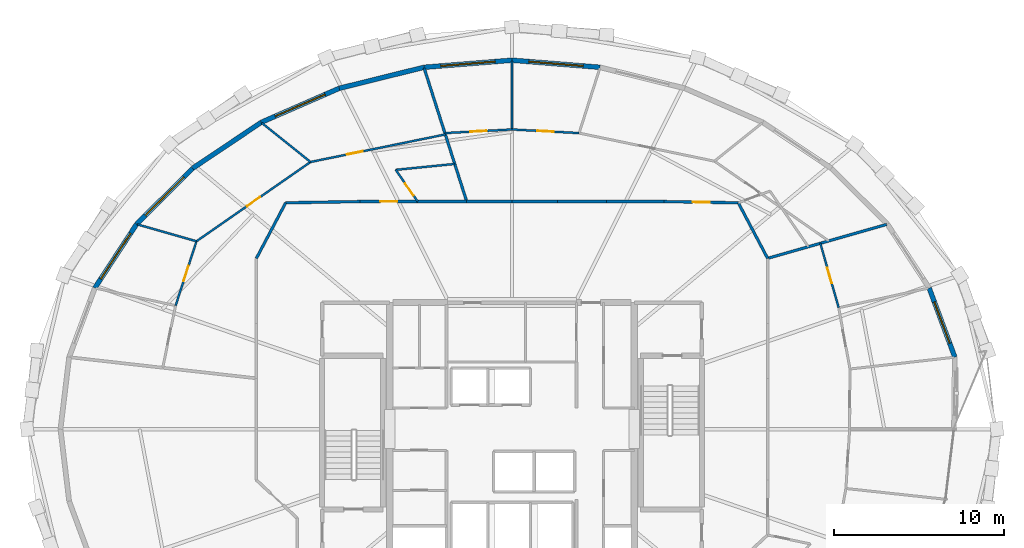
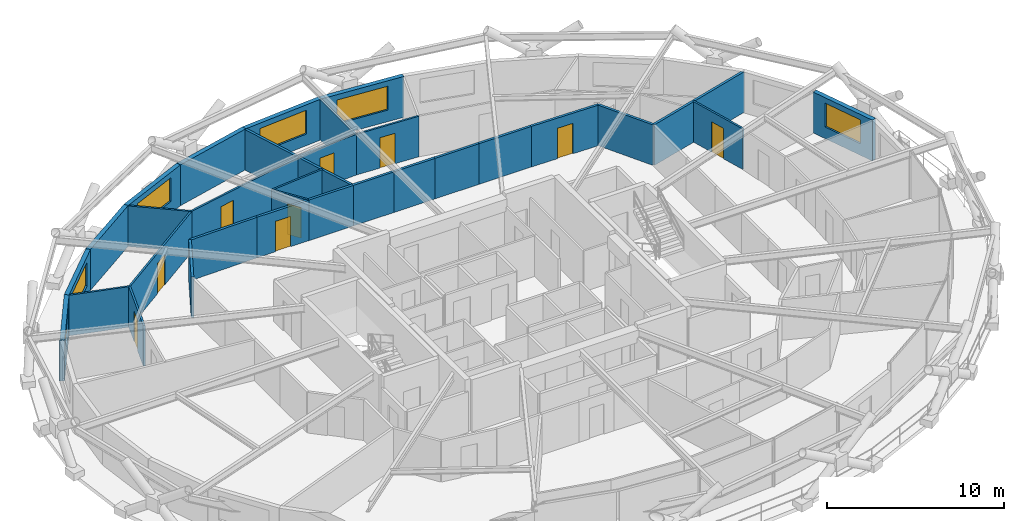
# One storey, part 16 of 20: 31 walls, 9 doors, 6 windows, 15 openings.
"""IFC4 building model written with IfcOpenShell, lengths in metres."""

from ifc_helpers import new_model, si_unit, direction, frame, frame_2d, origin, place, context, subcontext, project, spatial, rectangle, extrude, material, layer, layer_set, type_object, element, fill, save


model = new_model("IFC4")

# Units and contexts
model_context = context("Model", 3, precision=1e-05, world=origin(), true_north=direction((0.0, 1.0)))
body_context = subcontext(model_context, "Body", "Model", "MODEL_VIEW")
ifc_project = project(units=[si_unit("LENGTHUNIT", "METRE"), si_unit("AREAUNIT", "SQUARE_METRE"), si_unit("VOLUMEUNIT", "CUBIC_METRE"), si_unit("PLANEANGLEUNIT", "RADIAN"), si_unit("MASSUNIT", "GRAM", prefix="KILO")], contexts=[model_context])

# Site, building, storey
site_placement = place(None, origin())
site = spatial("IfcSite", under=ifc_project, at=site_placement, CompositionType="ELEMENT")
building_placement = place(site_placement, origin())
building = spatial("IfcBuilding", under=site, at=building_placement, Name="Veldorina Hangang Commons", CompositionType="ELEMENT")
storey_placement = place(building_placement, frame((0.0, 0.0, 131.60009765625)))
storey = spatial("IfcBuildingStorey", under=building, at=storey_placement, Name="L33", CompositionType="ELEMENT", Elevation=131.60009765625)

# Wall, opening, window
ifc_material_1 = material(Name="Stone Roman Travertine", Category="masonry")
ifc_layer_1 = layer(ifc_material_1, 0.280029296875)
ifc_layer_set_1 = layer_set([ifc_layer_1], Name="Stone Roman Travertine")
wall_type_1 = type_object("IfcWallType", Name="EW-TRAV-280", PredefinedType="STANDARD", material=ifc_layer_set_1)
wall_1_placement = place(storey_placement, frame((58.072998046875, 28.237548828125, 0.0), z_axis=(0.0, 0.0, 1.0), x_axis=(-0.348099086438, 0.937457746259, 0.0)))
wall_1 = element("IfcWall", 1, at=wall_1_placement, inside=storey, type_object=wall_type_1, Name="L33 travertine facade wall 01", PredefinedType="STANDARD", context=body_context, shape_type="SweptSolid", body=[
    extrude(rectangle(XDim=4.34619140625, YDim=0.280029296875, at=frame_2d((2.173095703125, 0.0))), origin(), (0.0, 0.0, 1.0), 2.81982421875),
])
opening_1_placement = place(wall_1_placement, frame((0.873291015625, 0.0, 0.800048828125)))
opening_1 = element("IfcOpeningElement", 2, at=opening_1_placement, cuts=wall_1, Name="Opening W-02", PredefinedType="OPENING", context=body_context, shape_type="SweptSolid", body=[
    extrude(rectangle(XDim=2.60009765625, YDim=1.64990234375, at=frame_2d((1.300048828125, 0.824951171875))), frame((0.0, 0.14990234375, 0.0), z_axis=(0.0, -1.0, 0.0), x_axis=(1.0, 0.0, 0.0)), (0.0, 0.0, 1.0), 0.300048828125),
])
ifc_material_2 = material(Name="Glass Low-E Triple IGU", Category="glass")
window_type_1 = type_object("IfcWindowType", Name="WIN-TWR-2600", PartitioningType="SINGLE_PANEL", PredefinedType="WINDOW", material=ifc_material_2)
window_1_placement = place(opening_1_placement, origin())
window_1 = element("IfcWindow", 3, at=window_1_placement, inside=storey, type_object=window_type_1, Name="L33 facade window 01", OverallHeight=1.64990234375, OverallWidth=2.60009765625, PartitioningType="SINGLE_PANEL", PredefinedType="WINDOW", context=body_context, shape_type="SweptSolid", body=[
    extrude(rectangle(XDim=2.60009765625, YDim=1.64990234375, at=frame_2d((1.300048828125, 0.824951171875))), frame((0.0, 0.030029296875, 0.0), z_axis=(0.0, -1.0, 0.0), x_axis=(1.0, 0.0, 0.0)), (0.0, 0.0, 1.0), 0.06005859375),
])
fill(opening_1, window_1)

wall_2_placement = place(storey_placement, frame((37.186279296875, 45.30322265625, 0.0), z_axis=(0.0, 0.0, 1.0), x_axis=(-0.996775768856, 0.080237563656, 0.0)))
wall_2 = element("IfcWall", 4, at=wall_2_placement, inside=storey, type_object=wall_type_1, Name="L33 travertine facade wall 07", PredefinedType="STANDARD", context=body_context, shape_type="SweptSolid", body=[
    extrude(rectangle(XDim=5.203125, YDim=0.280029296875, at=frame_2d((2.6015625, 0.0))), origin(), (0.0, 0.0, 1.0), 2.81982421875),
])
opening_2_placement = place(wall_2_placement, frame((1.00146484375, 0.0, 0.800048828125)))
opening_2 = element("IfcOpeningElement", 5, at=opening_2_placement, cuts=wall_2, Name="Opening W-01", PredefinedType="OPENING", context=body_context, shape_type="SweptSolid", body=[
    extrude(rectangle(XDim=3.199951171875, YDim=1.64990234375, at=frame_2d((1.60009765625, 0.824951171875))), frame((0.0, 0.14990234375, 0.0), z_axis=(0.0, -1.0, 0.0), x_axis=(1.0, 0.0, 0.0)), (0.0, 0.0, 1.0), 0.300048828125),
])
window_type_2 = type_object("IfcWindowType", Name="WIN-TWR-3200", PartitioningType="SINGLE_PANEL", PredefinedType="WINDOW", material=ifc_material_2)
window_2_placement = place(opening_2_placement, origin())
window_2 = element("IfcWindow", 6, at=window_2_placement, inside=storey, type_object=window_type_2, Name="L33 facade window 07", OverallHeight=1.64990234375, OverallWidth=3.199951171875, PartitioningType="SINGLE_PANEL", PredefinedType="WINDOW", context=body_context, shape_type="SweptSolid", body=[
    extrude(rectangle(XDim=3.199951171875, YDim=1.64990234375, at=frame_2d((1.60009765625, 0.824951171875))), frame((0.0, 0.030029296875, 0.0), z_axis=(0.0, -1.0, 0.0), x_axis=(1.0, 0.0, 0.0)), (0.0, 0.0, 1.0), 0.06005859375),
])
fill(opening_2, window_2)

wall_3_placement = place(storey_placement, frame((32.0, 45.720703125, 0.0), z_axis=(0.0, 0.0, 1.0), x_axis=(-0.996775768856, -0.080237563656, 0.0)))
wall_3 = element("IfcWall", 7, at=wall_3_placement, inside=storey, type_object=wall_type_1, Name="L33 travertine facade wall 08", PredefinedType="STANDARD", context=body_context, shape_type="SweptSolid", body=[
    extrude(rectangle(XDim=5.203125, YDim=0.280029296875, at=frame_2d((2.6015625, 0.0))), origin(), (0.0, 0.0, 1.0), 2.81982421875),
])
opening_3_placement = place(wall_3_placement, frame((1.00146484375, 0.0, 0.800048828125)))
opening_3 = element("IfcOpeningElement", 8, at=opening_3_placement, cuts=wall_3, Name="Opening W-01", PredefinedType="OPENING", context=body_context, shape_type="SweptSolid", body=[
    extrude(rectangle(XDim=3.199951171875, YDim=1.64990234375, at=frame_2d((1.60009765625, 0.824951171875))), frame((0.0, 0.14990234375, 0.0), z_axis=(0.0, -1.0, 0.0), x_axis=(1.0, 0.0, 0.0)), (0.0, 0.0, 1.0), 0.300048828125),
])
window_3_placement = place(opening_3_placement, origin())
window_3 = element("IfcWindow", 9, at=window_3_placement, inside=storey, type_object=window_type_2, Name="L33 facade window 08", OverallHeight=1.64990234375, OverallWidth=3.199951171875, PartitioningType="SINGLE_PANEL", PredefinedType="WINDOW", context=body_context, shape_type="SweptSolid", body=[
    extrude(rectangle(XDim=3.199951171875, YDim=1.64990234375, at=frame_2d((1.60009765625, 0.824951171875))), frame((0.0, 0.030029296875, 0.0), z_axis=(0.0, -1.0, 0.0), x_axis=(1.0, 0.0, 0.0)), (0.0, 0.0, 1.0), 0.06005859375),
])
fill(opening_3, window_3)

# Wall
wall_4_placement = place(storey_placement, frame((26.813720703125, 45.30322265625, 0.0), z_axis=(0.0, 0.0, 1.0), x_axis=(-0.970626922291, -0.24058964592, 0.0)))
element("IfcWall", 10, at=wall_4_placement, inside=storey, type_object=wall_type_1, Name="L33 travertine facade wall 09", PredefinedType="STANDARD", context=body_context, shape_type="SweptSolid", body=[
    extrude(rectangle(XDim=5.1376953125, YDim=0.280029296875, at=frame_2d((2.56884765625, 0.0))), origin(), (0.0, 0.0, 1.0), 2.81982421875),
])

# Wall, opening, window
wall_5_placement = place(storey_placement, frame((21.826904296875, 44.067138671875, 0.0), z_axis=(0.0, 0.0, 1.0), x_axis=(-0.916424160111, -0.400208394171, 0.0)))
wall_5 = element("IfcWall", 11, at=wall_5_placement, inside=storey, type_object=wall_type_1, Name="L33 travertine facade wall 10", PredefinedType="STANDARD", context=body_context, shape_type="SweptSolid", body=[
    extrude(rectangle(XDim=5.01513671875, YDim=0.280029296875, at=frame_2d((2.507568359375, 0.0))), origin(), (0.0, 0.0, 1.0), 2.81982421875),
])
opening_4_placement = place(wall_5_placement, frame((0.90771484375, 0.0, 0.800048828125)))
opening_4 = element("IfcOpeningElement", 12, at=opening_4_placement, cuts=wall_5, Name="Opening W-01", PredefinedType="OPENING", context=body_context, shape_type="SweptSolid", body=[
    extrude(rectangle(XDim=3.199951171875, YDim=1.64990234375, at=frame_2d((1.60009765625, 0.824951171875))), frame((0.0, 0.14990234375, 0.0), z_axis=(0.0, -1.0, 0.0), x_axis=(1.0, 0.0, 0.0)), (0.0, 0.0, 1.0), 0.300048828125),
])
window_4_placement = place(opening_4_placement, origin())
window_4 = element("IfcWindow", 13, at=window_4_placement, inside=storey, type_object=window_type_2, Name="L33 facade window 10", OverallHeight=1.64990234375, OverallWidth=3.199951171875, PartitioningType="SINGLE_PANEL", PredefinedType="WINDOW", context=body_context, shape_type="SweptSolid", body=[
    extrude(rectangle(XDim=3.199951171875, YDim=1.64990234375, at=frame_2d((1.60009765625, 0.824951171875))), frame((0.0, 0.030029296875, 0.0), z_axis=(0.0, -1.0, 0.0), x_axis=(1.0, 0.0, 0.0)), (0.0, 0.0, 1.0), 0.06005859375),
])
fill(opening_4, window_4)

# Wall
wall_6_placement = place(storey_placement, frame((17.23095703125, 42.06005859375, 0.0), z_axis=(0.0, 0.0, 1.0), x_axis=(-0.830576039751, -0.556905236277, 0.0)))
element("IfcWall", 14, at=wall_6_placement, inside=storey, type_object=wall_type_1, Name="L33 travertine facade wall 11", PredefinedType="STANDARD", context=body_context, shape_type="SweptSolid", body=[
    extrude(rectangle(XDim=4.850341796875, YDim=0.280029296875, at=frame_2d((2.42529296875, 0.0))), origin(), (0.0, 0.0, 1.0), 2.81982421875),
])

# Wall, opening, window
wall_7_placement = place(storey_placement, frame((13.202392578125, 39.35888671875, 0.0), z_axis=(0.0, 0.0, 1.0), x_axis=(-0.708648936292, -0.705561255379, 0.0)))
wall_7 = element("IfcWall", 15, at=wall_7_placement, inside=storey, type_object=wall_type_1, Name="L33 travertine facade wall 12", PredefinedType="STANDARD", context=body_context, shape_type="SweptSolid", body=[
    extrude(rectangle(XDim=4.6650390625, YDim=0.280029296875, at=frame_2d((2.33251953125, 0.0))), origin(), (0.0, 0.0, 1.0), 2.81982421875),
])
opening_5_placement = place(wall_7_placement, frame((0.732666015625, 0.0, 0.800048828125)))
opening_5 = element("IfcOpeningElement", 16, at=opening_5_placement, cuts=wall_7, Name="Opening W-01", PredefinedType="OPENING", context=body_context, shape_type="SweptSolid", body=[
    extrude(rectangle(XDim=3.199951171875, YDim=1.64990234375, at=frame_2d((1.60009765625, 0.824951171875))), frame((0.0, 0.14990234375, 0.0), z_axis=(0.0, -1.0, 0.0), x_axis=(1.0, 0.0, 0.0)), (0.0, 0.0, 1.0), 0.300048828125),
])
window_5_placement = place(opening_5_placement, origin())
window_5 = element("IfcWindow", 17, at=window_5_placement, inside=storey, type_object=window_type_2, Name="L33 facade window 12", OverallHeight=1.64990234375, OverallWidth=3.199951171875, PartitioningType="SINGLE_PANEL", PredefinedType="WINDOW", context=body_context, shape_type="SweptSolid", body=[
    extrude(rectangle(XDim=3.199951171875, YDim=1.64990234375, at=frame_2d((1.60009765625, 0.824951171875))), frame((0.0, 0.030029296875, 0.0), z_axis=(0.0, -1.0, 0.0), x_axis=(1.0, 0.0, 0.0)), (0.0, 0.0, 1.0), 0.06005859375),
])
fill(opening_5, window_5)

wall_8_placement = place(storey_placement, frame((9.896484375, 36.0673828125, 0.0), z_axis=(0.0, 0.0, 1.0), x_axis=(-0.547422319482, -0.836856501518, 0.0)))
wall_8 = element("IfcWall", 18, at=wall_8_placement, inside=storey, type_object=wall_type_1, Name="L33 travertine facade wall 13", PredefinedType="STANDARD", context=body_context, shape_type="SweptSolid", body=[
    extrude(rectangle(XDim=4.487548828125, YDim=0.280029296875, at=frame_2d((2.24365234375, 0.0))), origin(), (0.0, 0.0, 1.0), 2.81982421875),
])
opening_6_placement = place(wall_8_placement, frame((0.643798828125, 0.0, 0.800048828125)))
opening_6 = element("IfcOpeningElement", 19, at=opening_6_placement, cuts=wall_8, Name="Opening W-01", PredefinedType="OPENING", context=body_context, shape_type="SweptSolid", body=[
    extrude(rectangle(XDim=3.199951171875, YDim=1.64990234375, at=frame_2d((1.60009765625, 0.824951171875))), frame((0.0, 0.14990234375, 0.0), z_axis=(0.0, -1.0, 0.0), x_axis=(1.0, 0.0, 0.0)), (0.0, 0.0, 1.0), 0.300048828125),
])
window_6_placement = place(opening_6_placement, origin())
window_6 = element("IfcWindow", 20, at=window_6_placement, inside=storey, type_object=window_type_2, Name="L33 facade window 13", OverallHeight=1.64990234375, OverallWidth=3.199951171875, PartitioningType="SINGLE_PANEL", PredefinedType="WINDOW", context=body_context, shape_type="SweptSolid", body=[
    extrude(rectangle(XDim=3.199951171875, YDim=1.64990234375, at=frame_2d((1.60009765625, 0.824951171875))), frame((0.0, 0.030029296875, 0.0), z_axis=(0.0, -1.0, 0.0), x_axis=(1.0, 0.0, 0.0)), (0.0, 0.0, 1.0), 0.06005859375),
])
fill(opening_6, window_6)

# Wall
ifc_material_3 = material(Name="Gypsum Fire-Rated Twin Stud Wall", Category="gypsum")
ifc_layer_2 = layer(ifc_material_3, 0.159912109375)
ifc_layer_set_2 = layer_set([ifc_layer_2], Name="Gypsum Fire-Rated Twin Stud Wall")
wall_type_2 = type_object("IfcWallType", Name="WL-FIRE-160", PredefinedType="SOLIDWALL", material=ifc_layer_set_2)
wall_9_placement = place(storey_placement, frame((47.050048828125, 34.05615234375, 0.0), z_axis=(0.0, 0.0, 1.0), x_axis=(-0.466737093093, 0.884396113702, 0.0)))
element("IfcWall", 21, at=wall_9_placement, inside=storey, type_object=wall_type_2, Name="L33 U-corridor outer wall 03 051", PredefinedType="SOLIDWALL", context=body_context, shape_type="SweptSolid", body=[
    extrude(rectangle(XDim=3.696044921875, YDim=0.159912109375, at=frame_2d((1.84814453125, 0.0))), origin(), (0.0, 0.0, 1.0), 2.7998046875),
])

# Wall, opening, door
wall_10_placement = place(storey_placement, frame((45.324951171875, 37.324951171875, 0.0), z_axis=(0.0, 0.0, 1.0), x_axis=(-0.999853038912, 0.017143528788, 0.0)))
wall_10 = element("IfcWall", 22, at=wall_10_placement, inside=storey, type_object=wall_type_2, Name="L33 U-corridor outer wall 04 052", PredefinedType="SOLIDWALL", context=body_context, shape_type="SweptSolid", body=[
    extrude(rectangle(XDim=4.3720703125, YDim=0.159912109375, at=frame_2d((2.18603515625, 0.0))), origin(), (0.0, 0.0, 1.0), 2.7998046875),
])
opening_7_placement = place(wall_10_placement, frame((1.68603515625, 0.0, 0.0)))
opening_7 = element("IfcOpeningElement", 23, at=opening_7_placement, cuts=wall_10, Name="Opening D-06", PredefinedType="OPENING", context=body_context, shape_type="SweptSolid", body=[
    extrude(rectangle(XDim=1.0, YDim=2.10009765625, at=frame_2d((0.5, 1.050048828125))), frame((0.0, 0.08984375, 0.0), z_axis=(0.0, -1.0, 0.0), x_axis=(1.0, 0.0, 0.0)), (0.0, 0.0, 1.0), 0.179931640625),
])
ifc_material_4 = material(Name="Timber Fire-Rated Entrance Core", Category="wood")
door_type_1 = type_object("IfcDoorType", Name="DR-UNIT-1000", OperationType="SINGLE_SWING_LEFT", PredefinedType="DOOR", material=ifc_material_4)
door_1_placement = place(opening_7_placement, origin())
door_1 = element("IfcDoor", 24, at=door_1_placement, inside=storey, type_object=door_type_1, Name="L33 Cluster 3 entrance door 031", OperationType="SINGLE_SWING_LEFT", OverallHeight=2.10009765625, OverallWidth=1.0, PredefinedType="DOOR", context=body_context, shape_type="SweptSolid", body=[
    extrude(rectangle(XDim=1.0, YDim=2.10009765625, at=frame_2d((0.5, 1.050048828125))), frame((0.0, 0.02490234375, 0.0), z_axis=(0.0, -1.0, 0.0), x_axis=(1.0, 0.0, 0.0)), (0.0, 0.0, 1.0), 0.050048828125),
])
fill(opening_7, door_1)

# Walls
wall_11_placement = place(storey_placement, frame((40.95361328125, 37.39990234375, 0.0), z_axis=(0.0, 0.0, 1.0), x_axis=(-1.0, 0.0, 0.0)))
element("IfcWall", 25, at=wall_11_placement, inside=storey, type_object=wall_type_2, Name="L33 U-corridor outer wall 05 053", PredefinedType="SOLIDWALL", context=body_context, shape_type="SweptSolid", body=[
    extrude(rectangle(XDim=3.403076171875, YDim=0.159912109375, at=frame_2d((1.70166015625, 0.0))), origin(), (0.0, 0.0, 1.0), 2.7998046875),
])
wall_12_placement = place(storey_placement, frame((37.550537109375, 37.39990234375, 0.0), z_axis=(0.0, 0.0, 1.0), x_axis=(-1.0, 0.0, 0.0)))
element("IfcWall", 26, at=wall_12_placement, inside=storey, type_object=wall_type_2, Name="L33 U-corridor outer wall 06 054", PredefinedType="SOLIDWALL", context=body_context, shape_type="SweptSolid", body=[
    extrude(rectangle(XDim=2.88525390625, YDim=0.159912109375, at=frame_2d((1.442626953125, 0.0))), origin(), (0.0, 0.0, 1.0), 2.7998046875),
])
for number, where, z_axis, x_axis, name in (
    (27, (34.665283203125, 37.39990234375, 0.0), (0.0, 0.0, 1.0), (-1.0, 0.0, 0.0), "L33 U-corridor outer wall 07 055"),
    (28, (32.0, 37.39990234375, 0.0), (0.0, 0.0, 1.0), (-1.0, 0.0, 0.0), "L33 U-corridor outer wall 08 056"),
):
    element("IfcWall", number, at=place(storey_placement, frame(where, z_axis=z_axis, x_axis=x_axis)), inside=storey, type_object=wall_type_2, Name=name, PredefinedType="SOLIDWALL", context=body_context, shape_type="SweptSolid", body=[
        extrude(rectangle(XDim=2.665283203125, YDim=0.159912109375, at=frame_2d((1.33251953125, 0.0))), origin(), (0.0, 0.0, 1.0), 2.7998046875),
    ])
wall_13_placement = place(storey_placement, frame((29.334716796875, 37.39990234375, 0.0), z_axis=(0.0, 0.0, 1.0), x_axis=(-1.0, 0.0, 0.0)))
element("IfcWall", 29, at=wall_13_placement, inside=storey, type_object=wall_type_2, Name="L33 U-corridor outer wall 09 057", PredefinedType="SOLIDWALL", context=body_context, shape_type="SweptSolid", body=[
    extrude(rectangle(XDim=2.88525390625, YDim=0.159912109375, at=frame_2d((1.442626953125, 0.0))), origin(), (0.0, 0.0, 1.0), 2.7998046875),
])

# Wall, opening, door
wall_14_placement = place(storey_placement, frame((26.449462890625, 37.39990234375, 0.0), z_axis=(0.0, 0.0, 1.0), x_axis=(-1.0, 0.0, 0.0)))
wall_14 = element("IfcWall", 30, at=wall_14_placement, inside=storey, type_object=wall_type_2, Name="L33 U-corridor outer wall 10 058", PredefinedType="SOLIDWALL", context=body_context, shape_type="SweptSolid", body=[
    extrude(rectangle(XDim=3.403076171875, YDim=0.159912109375, at=frame_2d((1.70166015625, 0.0))), origin(), (0.0, 0.0, 1.0), 2.7998046875),
])
opening_8_placement = place(wall_14_placement, frame((1.201416015625, 0.0, 0.0)))
opening_8 = element("IfcOpeningElement", 31, at=opening_8_placement, cuts=wall_14, Name="Opening D-06", PredefinedType="OPENING", context=body_context, shape_type="SweptSolid", body=[
    extrude(rectangle(XDim=1.0, YDim=2.10009765625, at=frame_2d((0.5, 1.050048828125))), frame((0.0, 0.08984375, 0.0), z_axis=(0.0, -1.0, 0.0), x_axis=(1.0, 0.0, 0.0)), (0.0, 0.0, 1.0), 0.179931640625),
])
door_2_placement = place(opening_8_placement, origin())
door_2 = element("IfcDoor", 32, at=door_2_placement, inside=storey, type_object=door_type_1, Name="L33 Cluster 4 entrance door 037", OperationType="SINGLE_SWING_LEFT", OverallHeight=2.10009765625, OverallWidth=1.0, PredefinedType="DOOR", context=body_context, shape_type="SweptSolid", body=[
    extrude(rectangle(XDim=1.0, YDim=2.10009765625, at=frame_2d((0.5, 1.050048828125))), frame((0.0, 0.02490234375, 0.0), z_axis=(0.0, -1.0, 0.0), x_axis=(1.0, 0.0, 0.0)), (0.0, 0.0, 1.0), 0.050048828125),
])
fill(opening_8, door_2)

# Walls
wall_15_placement = place(storey_placement, frame((23.04638671875, 37.39990234375, 0.0), z_axis=(0.0, 0.0, 1.0), x_axis=(-0.999853038912, -0.017143528788, 0.0)))
element("IfcWall", 33, at=wall_15_placement, inside=storey, type_object=wall_type_2, Name="L33 U-corridor outer wall 11 059", PredefinedType="SOLIDWALL", context=body_context, shape_type="SweptSolid", body=[
    extrude(rectangle(XDim=4.3720703125, YDim=0.159912109375, at=frame_2d((2.18603515625, 0.0))), origin(), (0.0, 0.0, 1.0), 2.7998046875),
])
wall_16_placement = place(storey_placement, frame((18.675048828125, 37.324951171875, 0.0), z_axis=(0.0, 0.0, 1.0), x_axis=(-0.466737093093, -0.884396113702, 0.0)))
element("IfcWall", 34, at=wall_16_placement, inside=storey, type_object=wall_type_2, Name="L33 U-corridor outer wall 12 060", PredefinedType="SOLIDWALL", context=body_context, shape_type="SweptSolid", body=[
    extrude(rectangle(XDim=3.696044921875, YDim=0.159912109375, at=frame_2d((1.84814453125, 0.0))), origin(), (0.0, 0.0, 1.0), 2.7998046875),
])
wall_17_placement = place(storey_placement, frame((47.050048828125, 34.05615234375, 0.0), z_axis=(0.0, 0.0, 1.0), x_axis=(0.961667991251, 0.274216473981, 0.0)))
element("IfcWall", 35, at=wall_17_placement, inside=storey, type_object=wall_type_2, Name="L33 Unit party wall 03 099", PredefinedType="SOLIDWALL", context=body_context, shape_type="SweptSolid", body=[
    extrude(rectangle(XDim=7.28466796875, YDim=0.159912109375, at=frame_2d((3.642333984375, 0.0))), origin(), (0.0, 0.0, 1.0), 2.7998046875),
])
wall_18_placement = place(storey_placement, frame((29.334716796875, 37.39990234375, 0.0), z_axis=(0.0, 0.0, 1.0), x_axis=(-0.303872079368, 0.952712842036, 0.0)))
element("IfcWall", 36, at=wall_18_placement, inside=storey, type_object=wall_type_2, Name="L33 Unit party wall 09 109", PredefinedType="SOLIDWALL", context=body_context, shape_type="SweptSolid", body=[
    extrude(rectangle(XDim=8.24560546875, YDim=0.159912109375, at=frame_2d((4.122802734375, 0.0))), origin(), (0.0, 0.0, 1.0), 2.7998046875),
])

# Wall, opening, door
ifc_material_5 = material(Name="Gypsum Acoustic Stud Partition", Category="gypsum")
ifc_layer_3 = layer(ifc_material_5, 0.1201171875)
ifc_layer_set_3 = layer_set([ifc_layer_3], Name="Gypsum Acoustic Stud Partition")
wall_type_3 = type_object("IfcWallType", Name="WL-PART-120", PredefinedType="PARTITIONING", material=ifc_layer_set_3)
wall_19_placement = place(storey_placement, frame((51.234375, 31.148193359375, 0.0), z_axis=(0.0, 0.0, 1.0), x_axis=(-0.274058783109, 0.961712942307, 0.0)))
wall_19 = element("IfcWall", 37, at=wall_19_placement, inside=storey, type_object=wall_type_3, Name="L33 Cluster 2 bed 6 front wall 097", PredefinedType="PARTITIONING", context=body_context, shape_type="SweptSolid", body=[
    extrude(rectangle(XDim=3.943603515625, YDim=0.1201171875, at=frame_2d((1.9716796875, 0.0))), origin(), (0.0, 0.0, 1.0), 2.7998046875),
])
opening_9_placement = place(wall_19_placement, frame((1.496826171875, 0.0, 0.0)))
opening_9 = element("IfcOpeningElement", 38, at=opening_9_placement, cuts=wall_19, Name="Opening D-02", PredefinedType="OPENING", context=body_context, shape_type="SweptSolid", body=[
    extrude(rectangle(XDim=0.949951171875, YDim=2.10009765625, at=frame_2d((0.47509765625, 1.050048828125))), frame((0.0, 0.070068359375, 0.0), z_axis=(0.0, -1.0, 0.0), x_axis=(1.0, 0.0, 0.0)), (0.0, 0.0, 1.0), 0.14013671875),
])
ifc_material_6 = material(Name="Timber Solid Core Acoustic", Category="wood")
door_type_2 = type_object("IfcDoorType", Name="DR-INT-950", OperationType="SINGLE_SWING_LEFT", PredefinedType="DOOR", material=ifc_material_6)
door_3_placement = place(opening_9_placement, origin())
door_3 = element("IfcDoor", 39, at=door_3_placement, inside=storey, type_object=door_type_2, Name="L33 Cluster 2 bed 6 door 029", OperationType="SINGLE_SWING_LEFT", OverallHeight=2.10009765625, OverallWidth=0.949951171875, PredefinedType="DOOR", context=body_context, shape_type="SweptSolid", body=[
    extrude(rectangle(XDim=0.949951171875, YDim=2.10009765625, at=frame_2d((0.47509765625, 1.050048828125))), frame((0.0, 0.02490234375, 0.0), z_axis=(0.0, -1.0, 0.0), x_axis=(1.0, 0.0, 0.0)), (0.0, 0.0, 1.0), 0.050048828125),
])
fill(opening_9, door_3)

wall_20_placement = place(storey_placement, frame((35.950927734375, 41.4306640625, 0.0), z_axis=(0.0, 0.0, 1.0), x_axis=(-0.998551426798, 0.053805650631, 0.0)))
wall_20 = element("IfcWall", 40, at=wall_20_placement, inside=storey, type_object=wall_type_3, Name="L33 Cluster 3 bed 3 front wall 105", PredefinedType="PARTITIONING", context=body_context, shape_type="SweptSolid", body=[
    extrude(rectangle(XDim=3.95654296875, YDim=0.1201171875, at=frame_2d((1.978271484375, 0.0))), origin(), (0.0, 0.0, 1.0), 2.7998046875),
])
opening_10_placement = place(wall_20_placement, frame((1.50341796875, 0.0, 0.0)))
opening_10 = element("IfcOpeningElement", 41, at=opening_10_placement, cuts=wall_20, Name="Opening D-02", PredefinedType="OPENING", context=body_context, shape_type="SweptSolid", body=[
    extrude(rectangle(XDim=0.949951171875, YDim=2.10009765625, at=frame_2d((0.47509765625, 1.050048828125))), frame((0.0, 0.070068359375, 0.0), z_axis=(0.0, -1.0, 0.0), x_axis=(1.0, 0.0, 0.0)), (0.0, 0.0, 1.0), 0.14013671875),
])
door_4_placement = place(opening_10_placement, origin())
door_4 = element("IfcDoor", 42, at=door_4_placement, inside=storey, type_object=door_type_2, Name="L33 Cluster 3 bed 3 door 034", OperationType="SINGLE_SWING_RIGHT", OverallHeight=2.10009765625, OverallWidth=0.949951171875, PredefinedType="DOOR", context=body_context, shape_type="SweptSolid", body=[
    extrude(rectangle(XDim=0.949951171875, YDim=2.10009765625, at=frame_2d((0.47509765625, 1.050048828125))), frame((0.0, 0.02490234375, 0.0), z_axis=(0.0, -1.0, 0.0), x_axis=(1.0, 0.0, 0.0)), (0.0, 0.0, 1.0), 0.050048828125),
])
fill(opening_10, door_4)

wall_21_placement = place(storey_placement, frame((32.0, 41.6435546875, 0.0), z_axis=(0.0, 0.0, 1.0), x_axis=(-0.998551426798, -0.053805650631, 0.0)))
wall_21 = element("IfcWall", 43, at=wall_21_placement, inside=storey, type_object=wall_type_3, Name="L33 Cluster 3 bed 4 front wall 107", PredefinedType="PARTITIONING", context=body_context, shape_type="SweptSolid", body=[
    extrude(rectangle(XDim=3.95654296875, YDim=0.1201171875, at=frame_2d((1.978271484375, 0.0))), origin(), (0.0, 0.0, 1.0), 2.7998046875),
])
opening_11_placement = place(wall_21_placement, frame((1.50341796875, 0.0, 0.0)))
opening_11 = element("IfcOpeningElement", 44, at=opening_11_placement, cuts=wall_21, Name="Opening D-02", PredefinedType="OPENING", context=body_context, shape_type="SweptSolid", body=[
    extrude(rectangle(XDim=0.949951171875, YDim=2.10009765625, at=frame_2d((0.47509765625, 1.050048828125))), frame((0.0, 0.070068359375, 0.0), z_axis=(0.0, -1.0, 0.0), x_axis=(1.0, 0.0, 0.0)), (0.0, 0.0, 1.0), 0.14013671875),
])
door_5_placement = place(opening_11_placement, origin())
door_5 = element("IfcDoor", 45, at=door_5_placement, inside=storey, type_object=door_type_2, Name="L33 Cluster 3 bed 4 door 035", OperationType="SINGLE_SWING_LEFT", OverallHeight=2.10009765625, OverallWidth=0.949951171875, PredefinedType="DOOR", context=body_context, shape_type="SweptSolid", body=[
    extrude(rectangle(XDim=0.949951171875, YDim=2.10009765625, at=frame_2d((0.47509765625, 1.050048828125))), frame((0.0, 0.02490234375, 0.0), z_axis=(0.0, -1.0, 0.0), x_axis=(1.0, 0.0, 0.0)), (0.0, 0.0, 1.0), 0.050048828125),
])
fill(opening_11, door_5)

# Walls
wall_22_placement = place(storey_placement, frame((32.0, 41.6435546875, 0.0), z_axis=(0.0, 0.0, 1.0), x_axis=(0.0, 1.0, 0.0)))
element("IfcWall", 46, at=wall_22_placement, inside=storey, type_object=wall_type_3, Name="L33 Cluster 3 bed divider 3 108", PredefinedType="PARTITIONING", context=body_context, shape_type="SweptSolid", body=[
    extrude(rectangle(XDim=4.027099609375, YDim=0.1201171875, at=frame_2d((2.013671875, 0.0))), origin(), (0.0, 0.0, 1.0), 2.7998046875),
])
wall_23_placement = place(storey_placement, frame((28.62890625, 39.61279296875, 0.0), z_axis=(0.0, 0.0, 1.0), x_axis=(-0.995077271549, -0.099102086996, 0.0)))
element("IfcWall", 47, at=wall_23_placement, inside=storey, type_object=wall_type_3, Name="L33 Cluster 4 bath front wall 110", PredefinedType="PARTITIONING", context=body_context, shape_type="SweptSolid", body=[
    extrude(rectangle(XDim=3.49072265625, YDim=0.1201171875, at=frame_2d((1.745361328125, 0.0))), origin(), (0.0, 0.0, 1.0), 2.7998046875),
])

# Wall, opening, door
wall_24_placement = place(storey_placement, frame((26.449462890625, 37.39990234375, 0.0), z_axis=(0.0, 0.0, 1.0), x_axis=(-0.569712844613, 0.821843826212, 0.0)))
wall_24 = element("IfcWall", 48, at=wall_24_placement, inside=storey, type_object=wall_type_3, Name="L33 Cluster 4 bath side wall 111", PredefinedType="PARTITIONING", context=body_context, shape_type="SweptSolid", body=[
    extrude(rectangle(XDim=2.271728515625, YDim=0.1201171875, at=frame_2d((1.1357421875, 0.0))), origin(), (0.0, 0.0, 1.0), 2.7998046875),
])
opening_12_placement = place(wall_24_placement, frame((0.43994140625, 0.0, 0.0)))
opening_12 = element("IfcOpeningElement", 49, at=opening_12_placement, cuts=wall_24, Name="Opening D-01", PredefinedType="OPENING", context=body_context, shape_type="SweptSolid", body=[
    extrude(rectangle(XDim=0.860107421875, YDim=2.10009765625, at=frame_2d((0.43017578125, 1.050048828125))), frame((0.0, 0.070068359375, 0.0), z_axis=(0.0, -1.0, 0.0), x_axis=(1.0, 0.0, 0.0)), (0.0, 0.0, 1.0), 0.14013671875),
])
ifc_material_7 = material(Name="Timber Moisture-Resistant Core", Category="wood")
door_type_3 = type_object("IfcDoorType", Name="DR-WET-860", OperationType="SINGLE_SWING_LEFT", PredefinedType="DOOR", material=ifc_material_7)
door_6_placement = place(opening_12_placement, origin())
door_6 = element("IfcDoor", 50, at=door_6_placement, inside=storey, type_object=door_type_3, Name="L33 Cluster 4 shared bathroom door 036", OperationType="SINGLE_SWING_RIGHT", OverallHeight=2.10009765625, OverallWidth=0.860107421875, PredefinedType="DOOR", context=body_context, shape_type="SweptSolid", body=[
    extrude(rectangle(XDim=0.860107421875, YDim=2.10009765625, at=frame_2d((0.43017578125, 1.050048828125))), frame((0.0, 0.02490234375, 0.0), z_axis=(0.0, -1.0, 0.0), x_axis=(1.0, 0.0, 0.0)), (0.0, 0.0, 1.0), 0.050048828125),
])
fill(opening_12, door_6)

wall_25_placement = place(storey_placement, frame((28.07421875, 41.3515625, 0.0), z_axis=(0.0, 0.0, 1.0), x_axis=(-0.979753649481, -0.200206858844, 0.0)))
wall_25 = element("IfcWall", 51, at=wall_25_placement, inside=storey, type_object=wall_type_3, Name="L33 Cluster 4 bed 1 front wall 112", PredefinedType="PARTITIONING", context=body_context, shape_type="SweptSolid", body=[
    extrude(rectangle(XDim=8.099609375, YDim=0.1201171875, at=frame_2d((4.0498046875, 0.0))), origin(), (0.0, 0.0, 1.0), 2.7998046875),
])
opening_13_placement = place(wall_25_placement, frame((4.9541015625, 0.0, 0.0)))
opening_13 = element("IfcOpeningElement", 52, at=opening_13_placement, cuts=wall_25, Name="Opening D-02", PredefinedType="OPENING", context=body_context, shape_type="SweptSolid", body=[
    extrude(rectangle(XDim=0.949951171875, YDim=2.10009765625, at=frame_2d((0.47509765625, 1.050048828125))), frame((0.0, 0.070068359375, 0.0), z_axis=(0.0, -1.0, 0.0), x_axis=(1.0, 0.0, 0.0)), (0.0, 0.0, 1.0), 0.14013671875),
])
door_7_placement = place(opening_13_placement, origin())
door_7 = element("IfcDoor", 53, at=door_7_placement, inside=storey, type_object=door_type_2, Name="L33 Cluster 4 bed 1 door 038", OperationType="SINGLE_SWING_RIGHT", OverallHeight=2.10009765625, OverallWidth=0.949951171875, PredefinedType="DOOR", context=body_context, shape_type="SweptSolid", body=[
    extrude(rectangle(XDim=0.949951171875, YDim=2.10009765625, at=frame_2d((0.47509765625, 1.050048828125))), frame((0.0, 0.02490234375, 0.0), z_axis=(0.0, -1.0, 0.0), x_axis=(1.0, 0.0, 0.0)), (0.0, 0.0, 1.0), 0.050048828125),
])
fill(opening_13, door_7)

wall_26_placement = place(storey_placement, frame((20.138671875, 39.72998046875, 0.0), z_axis=(0.0, 0.0, 1.0), x_axis=(-0.82110532268, -0.570776706837, 0.0)))
wall_26 = element("IfcWall", 54, at=wall_26_placement, inside=storey, type_object=wall_type_3, Name="L33 Cluster 4 bed 2 front wall 113", PredefinedType="PARTITIONING", context=body_context, shape_type="SweptSolid", body=[
    extrude(rectangle(XDim=8.1787109375, YDim=0.1201171875, at=frame_2d((4.08935546875, 0.0))), origin(), (0.0, 0.0, 1.0), 2.7998046875),
])
opening_14_placement = place(wall_26_placement, frame((3.6142578125, 0.0, 0.0)))
opening_14 = element("IfcOpeningElement", 55, at=opening_14_placement, cuts=wall_26, Name="Opening D-02", PredefinedType="OPENING", context=body_context, shape_type="SweptSolid", body=[
    extrude(rectangle(XDim=0.949951171875, YDim=2.10009765625, at=frame_2d((0.47509765625, 1.050048828125))), frame((0.0, 0.070068359375, 0.0), z_axis=(0.0, -1.0, 0.0), x_axis=(1.0, 0.0, 0.0)), (0.0, 0.0, 1.0), 0.14013671875),
])
door_8_placement = place(opening_14_placement, origin())
door_8 = element("IfcDoor", 56, at=door_8_placement, inside=storey, type_object=door_type_2, Name="L33 Cluster 4 bed 2 door 039", OperationType="SINGLE_SWING_LEFT", OverallHeight=2.10009765625, OverallWidth=0.949951171875, PredefinedType="DOOR", context=body_context, shape_type="SweptSolid", body=[
    extrude(rectangle(XDim=0.949951171875, YDim=2.10009765625, at=frame_2d((0.47509765625, 1.050048828125))), frame((0.0, 0.02490234375, 0.0), z_axis=(0.0, -1.0, 0.0), x_axis=(1.0, 0.0, 0.0)), (0.0, 0.0, 1.0), 0.050048828125),
])
fill(opening_14, door_8)

# Wall
wall_27_placement = place(storey_placement, frame((20.138671875, 39.72998046875, 0.0), z_axis=(0.0, 0.0, 1.0), x_axis=(-0.780350196962, 0.625342762093, 0.0)))
element("IfcWall", 57, at=wall_27_placement, inside=storey, type_object=wall_type_3, Name="L33 Cluster 4 bed divider 1 114", PredefinedType="PARTITIONING", context=body_context, shape_type="SweptSolid", body=[
    extrude(rectangle(XDim=3.676025390625, YDim=0.1201171875, at=frame_2d((1.837890625, 0.0))), origin(), (0.0, 0.0, 1.0), 2.7998046875),
])

# Wall, opening, door
wall_28_placement = place(storey_placement, frame((13.423095703125, 35.061767578125, 0.0), z_axis=(0.0, 0.0, 1.0), x_axis=(-0.308383277177, -0.951262190123, 0.0)))
wall_28 = element("IfcWall", 58, at=wall_28_placement, inside=storey, type_object=wall_type_3, Name="L33 Cluster 4 bed 3 front wall 115", PredefinedType="PARTITIONING", context=body_context, shape_type="SweptSolid", body=[
    extrude(rectangle(XDim=3.98291015625, YDim=0.1201171875, at=frame_2d((1.991455078125, 0.0))), origin(), (0.0, 0.0, 1.0), 2.7998046875),
])
opening_15_placement = place(wall_28_placement, frame((1.516357421875, 0.0, 0.0)))
opening_15 = element("IfcOpeningElement", 59, at=opening_15_placement, cuts=wall_28, Name="Opening D-02", PredefinedType="OPENING", context=body_context, shape_type="SweptSolid", body=[
    extrude(rectangle(XDim=0.949951171875, YDim=2.10009765625, at=frame_2d((0.47509765625, 1.050048828125))), frame((0.0, 0.070068359375, 0.0), z_axis=(0.0, -1.0, 0.0), x_axis=(1.0, 0.0, 0.0)), (0.0, 0.0, 1.0), 0.14013671875),
])
door_9_placement = place(opening_15_placement, origin())
door_9 = element("IfcDoor", 60, at=door_9_placement, inside=storey, type_object=door_type_2, Name="L33 Cluster 4 bed 3 door 040", OperationType="SINGLE_SWING_RIGHT", OverallHeight=2.10009765625, OverallWidth=0.949951171875, PredefinedType="DOOR", context=body_context, shape_type="SweptSolid", body=[
    extrude(rectangle(XDim=0.949951171875, YDim=2.10009765625, at=frame_2d((0.47509765625, 1.050048828125))), frame((0.0, 0.02490234375, 0.0), z_axis=(0.0, -1.0, 0.0), x_axis=(1.0, 0.0, 0.0)), (0.0, 0.0, 1.0), 0.050048828125),
])
fill(opening_15, door_9)

# Wall
wall_29_placement = place(storey_placement, frame((13.423095703125, 35.061767578125, 0.0), z_axis=(0.0, 0.0, 1.0), x_axis=(-0.961663905894, 0.274230800789, 0.0)))
element("IfcWall", 61, at=wall_29_placement, inside=storey, type_object=wall_type_3, Name="L33 Cluster 4 bed divider 2 116", PredefinedType="PARTITIONING", context=body_context, shape_type="SweptSolid", body=[
    extrude(rectangle(XDim=3.6171875, YDim=0.1201171875, at=frame_2d((1.80859375, 0.0))), origin(), (0.0, 0.0, 1.0), 2.7998046875),
])

save(model, "model.ifc")
